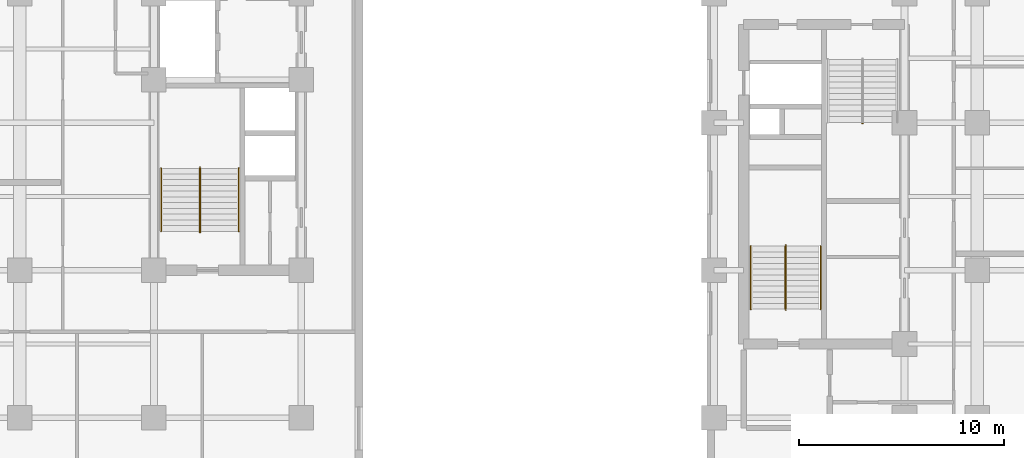
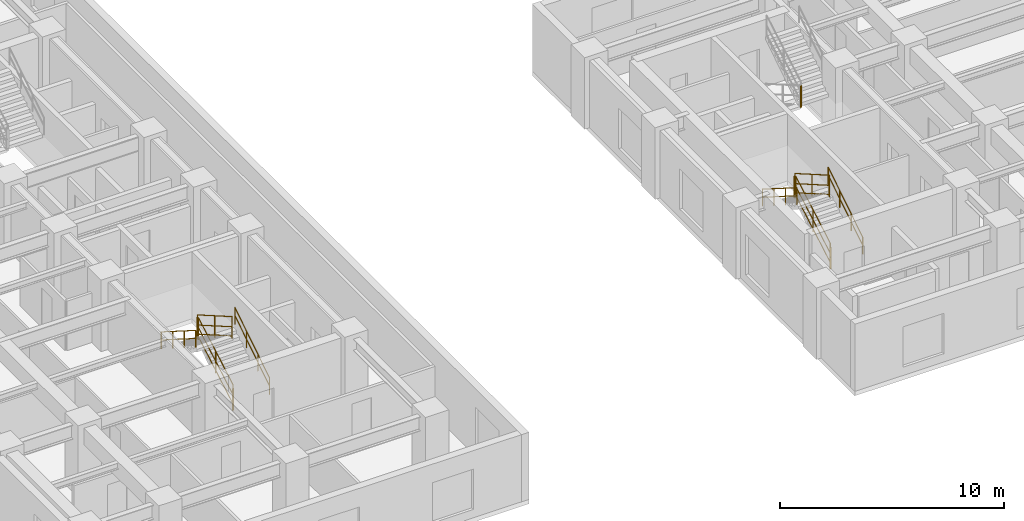
# One storey, part 7 of 9: 13 railings.
"""IFC4 building model written with IfcOpenShell, lengths in metres."""

from ifc_helpers import new_model, entity, si_unit, converted_unit, direction, frame, origin_with_axes, origin_2d_with_axis, place, context, subcontext, project, spatial, rectangle, circle, extrude, material, type_object, element, save


model = new_model("IFC4")

# Units and contexts
model_context = context("Model", 3, precision=1e-05, world=origin_with_axes(), true_north=direction((0.0, 1.0)))
body_context = subcontext(model_context, "Body", "Model", "MODEL_VIEW")
ifc_project = project(units=[si_unit("LENGTHUNIT", "METRE"), si_unit("AREAUNIT", "SQUARE_METRE"), si_unit("VOLUMEUNIT", "CUBIC_METRE"), converted_unit("PLANEANGLEUNIT", "DEGREE", entity("IfcPlaneAngleMeasure", 0.017453292519943295), si_unit("PLANEANGLEUNIT", "RADIAN"), dimensions=[0, 0, 0, 0, 0, 0, 0]), si_unit("MASSUNIT", "GRAM", prefix="KILO"), si_unit("THERMODYNAMICTEMPERATUREUNIT", "KELVIN")], contexts=[model_context])

# Site, building, storey
site_placement = place(None, origin_with_axes())
site = spatial("IfcSite", under=ifc_project, at=site_placement, CompositionType="ELEMENT")
building_placement = place(site_placement, origin_with_axes())
building = spatial("IfcBuilding", under=site, at=building_placement, Name="Varnlund Millrace Tower", CompositionType="ELEMENT")
storey_placement = place(building_placement, frame((0.0, 0.0, 96.9), z_axis=(0.0, 0.0, 1.0), x_axis=(1.0, 0.0, 0.0)))
storey = spatial("IfcBuildingStorey", under=building, at=storey_placement, Name="L23", CompositionType="ELEMENT", Elevation=96.9)

# Railings
ifc_material_1 = material(Name="Painted steel stair well balustrade guard", Category="steel")
railing_type_1 = type_object("IfcRailingType", Name="Type-StairGuard-1150", PredefinedType="GUARDRAIL", material=ifc_material_1)
railing_1_placement = place(storey_placement, frame((0.0, 0.0, -96.9), z_axis=(0.0, 0.0, 1.0), x_axis=(1.0, 0.0, 0.0)))
element("IfcRailing", 1, at=railing_1_placement, inside=storey, type_object=railing_type_1, Name="Type-StairGuard-1150", PredefinedType="GUARDRAIL", context=body_context, shape_type="SweptSolid", body=[
    extrude(circle(Radius=0.024, at=origin_2d_with_axis()), frame((13.675, 12.7, 98.227273), z_axis=(0.0, 0.866696, 0.498836), x_axis=(-1.0, 0.0, 0.0)), (0.0, 0.0, 1.0), 3.553725),
    extrude(circle(Radius=0.024, at=origin_2d_with_axis()), frame((13.675, 12.7, 97.177273), z_axis=(0.0, 0.866696, 0.498836), x_axis=(-1.0, 0.0, 0.0)), (0.0, 0.0, 1.0), 3.553725),
    extrude(circle(Radius=0.024, at=origin_2d_with_axis()), frame((13.675, 12.7, 97.675273), z_axis=(0.0, 0.866696, 0.498836), x_axis=(-1.0, 0.0, 0.0)), (0.0, 0.0, 1.0), 3.553725),
    extrude(rectangle(XDim=0.04, YDim=0.04, at=origin_2d_with_axis()), frame((13.675, 12.7, 97.037273), z_axis=(0.0, 0.0, 1.0), x_axis=(1.0, 0.0, 0.0)), (0.0, 0.0, 1.0), 1.19),
    extrude(rectangle(XDim=0.04, YDim=0.04, at=origin_2d_with_axis()), frame((13.675, 14.24, 97.923636), z_axis=(0.0, 0.0, 1.0), x_axis=(1.0, 0.0, 0.0)), (0.0, 0.0, 1.0), 1.19),
    extrude(rectangle(XDim=0.04, YDim=0.04, at=origin_2d_with_axis()), frame((13.675, 15.78, 98.81), z_axis=(0.0, 0.0, 1.0), x_axis=(1.0, 0.0, 0.0)), (0.0, 0.0, 1.0), 1.19),
])
railing_2_placement = place(storey_placement, frame((0.0, 0.0, -96.9), z_axis=(0.0, 0.0, 1.0), x_axis=(1.0, 0.0, 0.0)))
element("IfcRailing", 2, at=railing_2_placement, inside=storey, type_object=railing_type_1, Name="Type-StairGuard-1150", PredefinedType="GUARDRAIL", context=body_context, shape_type="SweptSolid", body=[
    extrude(circle(Radius=0.024, at=origin_2d_with_axis()), frame((13.625, 15.83, 100.0), z_axis=(1.0, 0.0, 0.0), x_axis=(0.0, 1.0, 0.0)), (0.0, 0.0, 1.0), 0.05),
    extrude(circle(Radius=0.024, at=origin_2d_with_axis()), frame((13.625, 15.83, 98.95), z_axis=(1.0, 0.0, 0.0), x_axis=(0.0, 1.0, 0.0)), (0.0, 0.0, 1.0), 0.05),
    extrude(circle(Radius=0.024, at=origin_2d_with_axis()), frame((13.625, 15.83, 99.448), z_axis=(1.0, 0.0, 0.0), x_axis=(0.0, 1.0, 0.0)), (0.0, 0.0, 1.0), 0.05),
    extrude(rectangle(XDim=0.04, YDim=0.04, at=origin_2d_with_axis()), frame((13.625, 15.83, 98.81), z_axis=(0.0, 0.0, 1.0), x_axis=(1.0, 0.0, 0.0)), (0.0, 0.0, 1.0), 1.19),
    extrude(rectangle(XDim=0.04, YDim=0.04, at=origin_2d_with_axis()), frame((13.675, 15.83, 98.81), z_axis=(0.0, 0.0, 1.0), x_axis=(1.0, 0.0, 0.0)), (0.0, 0.0, 1.0), 1.19),
])
railing_3_placement = place(storey_placement, frame((0.0, 0.0, -96.9), z_axis=(0.0, 0.0, 1.0), x_axis=(1.0, 0.0, 0.0)))
element("IfcRailing", 3, at=railing_3_placement, inside=storey, type_object=railing_type_1, Name="Type-StairGuard-1150", PredefinedType="GUARDRAIL", context=body_context, shape_type="SweptSolid", body=[
    extrude(circle(Radius=0.024, at=origin_2d_with_axis()), frame((13.625, 15.78, 100.177273), z_axis=(0.0, -0.866696, 0.498836), x_axis=(1.0, 0.0, 0.0)), (0.0, 0.0, 1.0), 3.553725),
    extrude(circle(Radius=0.024, at=origin_2d_with_axis()), frame((13.625, 15.78, 99.127273), z_axis=(0.0, -0.866696, 0.498836), x_axis=(1.0, 0.0, 0.0)), (0.0, 0.0, 1.0), 3.553725),
    extrude(circle(Radius=0.024, at=origin_2d_with_axis()), frame((13.625, 15.78, 99.625273), z_axis=(0.0, -0.866696, 0.498836), x_axis=(1.0, 0.0, 0.0)), (0.0, 0.0, 1.0), 3.553725),
    extrude(rectangle(XDim=0.04, YDim=0.04, at=origin_2d_with_axis()), frame((13.625, 15.78, 98.987273), z_axis=(0.0, 0.0, 1.0), x_axis=(1.0, 0.0, 0.0)), (0.0, 0.0, 1.0), 1.19),
    extrude(rectangle(XDim=0.04, YDim=0.04, at=origin_2d_with_axis()), frame((13.625, 14.24, 99.873636), z_axis=(0.0, 0.0, 1.0), x_axis=(1.0, 0.0, 0.0)), (0.0, 0.0, 1.0), 1.19),
    extrude(rectangle(XDim=0.04, YDim=0.04, at=origin_2d_with_axis()), frame((13.625, 12.7, 100.76), z_axis=(0.0, 0.0, 1.0), x_axis=(1.0, 0.0, 0.0)), (0.0, 0.0, 1.0), 1.19),
])
railing_4_placement = place(storey_placement, frame((0.0, 0.0, -96.9), z_axis=(0.0, 0.0, 1.0), x_axis=(1.0, 0.0, 0.0)))
element("IfcRailing", 4, at=railing_4_placement, inside=storey, type_object=railing_type_1, Name="Type-StairGuard-1150", PredefinedType="GUARDRAIL", context=body_context, shape_type="SweptSolid", body=[
    extrude(circle(Radius=0.024, at=origin_2d_with_axis()), frame((13.625, 12.65, 98.05), z_axis=(1.0, 0.0, 0.0), x_axis=(0.0, 1.0, 0.0)), (0.0, 0.0, 1.0), 0.05),
    extrude(circle(Radius=0.024, at=origin_2d_with_axis()), frame((13.625, 12.65, 97.0), z_axis=(1.0, 0.0, 0.0), x_axis=(0.0, 1.0, 0.0)), (0.0, 0.0, 1.0), 0.05),
    extrude(circle(Radius=0.024, at=origin_2d_with_axis()), frame((13.625, 12.65, 97.498), z_axis=(1.0, 0.0, 0.0), x_axis=(0.0, 1.0, 0.0)), (0.0, 0.0, 1.0), 0.05),
    extrude(rectangle(XDim=0.04, YDim=0.04, at=origin_2d_with_axis()), frame((13.625, 12.65, 96.86), z_axis=(0.0, 0.0, 1.0), x_axis=(1.0, 0.0, 0.0)), (0.0, 0.0, 1.0), 1.19),
    extrude(rectangle(XDim=0.04, YDim=0.04, at=origin_2d_with_axis()), frame((13.675, 12.65, 96.86), z_axis=(0.0, 0.0, 1.0), x_axis=(1.0, 0.0, 0.0)), (0.0, 0.0, 1.0), 1.19),
])
railing_5_placement = place(storey_placement, frame((0.0, 0.0, -96.9), z_axis=(0.0, 0.0, 1.0), x_axis=(1.0, 0.0, 0.0)))
element("IfcRailing", 5, at=railing_5_placement, inside=storey, type_object=railing_type_1, Name="Type-StairGuard-1150", PredefinedType="GUARDRAIL", context=body_context, shape_type="SweptSolid", body=[
    extrude(circle(Radius=0.024, at=origin_2d_with_axis()), frame((42.275, 8.9, 98.227273), z_axis=(0.0, 0.866696, 0.498836), x_axis=(-1.0, 0.0, 0.0)), (0.0, 0.0, 1.0), 3.553725),
    extrude(circle(Radius=0.024, at=origin_2d_with_axis()), frame((42.275, 8.9, 97.177273), z_axis=(0.0, 0.866696, 0.498836), x_axis=(-1.0, 0.0, 0.0)), (0.0, 0.0, 1.0), 3.553725),
    extrude(circle(Radius=0.024, at=origin_2d_with_axis()), frame((42.275, 8.9, 97.675273), z_axis=(0.0, 0.866696, 0.498836), x_axis=(-1.0, 0.0, 0.0)), (0.0, 0.0, 1.0), 3.553725),
    extrude(rectangle(XDim=0.04, YDim=0.04, at=origin_2d_with_axis()), frame((42.275, 8.9, 97.037273), z_axis=(0.0, 0.0, 1.0), x_axis=(1.0, 0.0, 0.0)), (0.0, 0.0, 1.0), 1.19),
    extrude(rectangle(XDim=0.04, YDim=0.04, at=origin_2d_with_axis()), frame((42.275, 10.44, 97.923636), z_axis=(0.0, 0.0, 1.0), x_axis=(1.0, 0.0, 0.0)), (0.0, 0.0, 1.0), 1.19),
    extrude(rectangle(XDim=0.04, YDim=0.04, at=origin_2d_with_axis()), frame((42.275, 11.98, 98.81), z_axis=(0.0, 0.0, 1.0), x_axis=(1.0, 0.0, 0.0)), (0.0, 0.0, 1.0), 1.19),
])
railing_6_placement = place(storey_placement, frame((0.0, 0.0, -96.9), z_axis=(0.0, 0.0, 1.0), x_axis=(1.0, 0.0, 0.0)))
element("IfcRailing", 6, at=railing_6_placement, inside=storey, type_object=railing_type_1, Name="Type-StairGuard-1150", PredefinedType="GUARDRAIL", context=body_context, shape_type="SweptSolid", body=[
    extrude(circle(Radius=0.024, at=origin_2d_with_axis()), frame((42.225, 12.03, 100.0), z_axis=(1.0, 0.0, 0.0), x_axis=(0.0, 1.0, 0.0)), (0.0, 0.0, 1.0), 0.05),
    extrude(circle(Radius=0.024, at=origin_2d_with_axis()), frame((42.225, 12.03, 98.95), z_axis=(1.0, 0.0, 0.0), x_axis=(0.0, 1.0, 0.0)), (0.0, 0.0, 1.0), 0.05),
    extrude(circle(Radius=0.024, at=origin_2d_with_axis()), frame((42.225, 12.03, 99.448), z_axis=(1.0, 0.0, 0.0), x_axis=(0.0, 1.0, 0.0)), (0.0, 0.0, 1.0), 0.05),
    extrude(rectangle(XDim=0.04, YDim=0.04, at=origin_2d_with_axis()), frame((42.225, 12.03, 98.81), z_axis=(0.0, 0.0, 1.0), x_axis=(1.0, 0.0, 0.0)), (0.0, 0.0, 1.0), 1.19),
    extrude(rectangle(XDim=0.04, YDim=0.04, at=origin_2d_with_axis()), frame((42.275, 12.03, 98.81), z_axis=(0.0, 0.0, 1.0), x_axis=(1.0, 0.0, 0.0)), (0.0, 0.0, 1.0), 1.19),
])
railing_7_placement = place(storey_placement, frame((0.0, 0.0, -96.9), z_axis=(0.0, 0.0, 1.0), x_axis=(1.0, 0.0, 0.0)))
element("IfcRailing", 7, at=railing_7_placement, inside=storey, type_object=railing_type_1, Name="Type-StairGuard-1150", PredefinedType="GUARDRAIL", context=body_context, shape_type="SweptSolid", body=[
    extrude(circle(Radius=0.024, at=origin_2d_with_axis()), frame((42.225, 11.98, 100.177273), z_axis=(0.0, -0.866696, 0.498836), x_axis=(1.0, 0.0, 0.0)), (0.0, 0.0, 1.0), 3.553725),
    extrude(circle(Radius=0.024, at=origin_2d_with_axis()), frame((42.225, 11.98, 99.127273), z_axis=(0.0, -0.866696, 0.498836), x_axis=(1.0, 0.0, 0.0)), (0.0, 0.0, 1.0), 3.553725),
    extrude(circle(Radius=0.024, at=origin_2d_with_axis()), frame((42.225, 11.98, 99.625273), z_axis=(0.0, -0.866696, 0.498836), x_axis=(1.0, 0.0, 0.0)), (0.0, 0.0, 1.0), 3.553725),
    extrude(rectangle(XDim=0.04, YDim=0.04, at=origin_2d_with_axis()), frame((42.225, 11.98, 98.987273), z_axis=(0.0, 0.0, 1.0), x_axis=(1.0, 0.0, 0.0)), (0.0, 0.0, 1.0), 1.19),
    extrude(rectangle(XDim=0.04, YDim=0.04, at=origin_2d_with_axis()), frame((42.225, 10.44, 99.873636), z_axis=(0.0, 0.0, 1.0), x_axis=(1.0, 0.0, 0.0)), (0.0, 0.0, 1.0), 1.19),
    extrude(rectangle(XDim=0.04, YDim=0.04, at=origin_2d_with_axis()), frame((42.225, 8.9, 100.76), z_axis=(0.0, 0.0, 1.0), x_axis=(1.0, 0.0, 0.0)), (0.0, 0.0, 1.0), 1.19),
])
railing_8_placement = place(storey_placement, frame((0.0, 0.0, -96.9), z_axis=(0.0, 0.0, 1.0), x_axis=(1.0, 0.0, 0.0)))
element("IfcRailing", 8, at=railing_8_placement, inside=storey, type_object=railing_type_1, Name="Type-StairGuard-1150", PredefinedType="GUARDRAIL", context=body_context, shape_type="SweptSolid", body=[
    extrude(circle(Radius=0.024, at=origin_2d_with_axis()), frame((42.225, 8.85, 98.05), z_axis=(1.0, 0.0, 0.0), x_axis=(0.0, 1.0, 0.0)), (0.0, 0.0, 1.0), 0.05),
    extrude(circle(Radius=0.024, at=origin_2d_with_axis()), frame((42.225, 8.85, 97.0), z_axis=(1.0, 0.0, 0.0), x_axis=(0.0, 1.0, 0.0)), (0.0, 0.0, 1.0), 0.05),
    extrude(circle(Radius=0.024, at=origin_2d_with_axis()), frame((42.225, 8.85, 97.498), z_axis=(1.0, 0.0, 0.0), x_axis=(0.0, 1.0, 0.0)), (0.0, 0.0, 1.0), 0.05),
    extrude(rectangle(XDim=0.04, YDim=0.04, at=origin_2d_with_axis()), frame((42.225, 8.85, 96.86), z_axis=(0.0, 0.0, 1.0), x_axis=(1.0, 0.0, 0.0)), (0.0, 0.0, 1.0), 1.19),
    extrude(rectangle(XDim=0.04, YDim=0.04, at=origin_2d_with_axis()), frame((42.275, 8.85, 96.86), z_axis=(0.0, 0.0, 1.0), x_axis=(1.0, 0.0, 0.0)), (0.0, 0.0, 1.0), 1.19),
])
railing_9_placement = place(storey_placement, frame((0.0, 0.0, -96.9), z_axis=(0.0, 0.0, 1.0), x_axis=(1.0, 0.0, 0.0)))
element("IfcRailing", 9, at=railing_9_placement, inside=storey, type_object=railing_type_1, Name="Type-StairGuard-1150", PredefinedType="GUARDRAIL", context=body_context, shape_type="SweptSolid", body=[
    extrude(circle(Radius=0.024, at=origin_2d_with_axis()), frame((46.025, 17.97, 100.0), z_axis=(-1.0, 0.0, 0.0), x_axis=(0.0, -1.0, 0.0)), (0.0, 0.0, 1.0), 0.05),
    extrude(circle(Radius=0.024, at=origin_2d_with_axis()), frame((46.025, 17.97, 98.95), z_axis=(-1.0, 0.0, 0.0), x_axis=(0.0, -1.0, 0.0)), (0.0, 0.0, 1.0), 0.05),
    extrude(circle(Radius=0.024, at=origin_2d_with_axis()), frame((46.025, 17.97, 99.448), z_axis=(-1.0, 0.0, 0.0), x_axis=(0.0, -1.0, 0.0)), (0.0, 0.0, 1.0), 0.05),
    extrude(rectangle(XDim=0.04, YDim=0.04, at=origin_2d_with_axis()), frame((46.025, 17.97, 98.81), z_axis=(0.0, 0.0, 1.0), x_axis=(1.0, 0.0, 0.0)), (0.0, 0.0, 1.0), 1.19),
    extrude(rectangle(XDim=0.04, YDim=0.04, at=origin_2d_with_axis()), frame((45.975, 17.97, 98.81), z_axis=(0.0, 0.0, 1.0), x_axis=(1.0, 0.0, 0.0)), (0.0, 0.0, 1.0), 1.19),
])
ifc_material_2 = material(Name="Brushed architectural bronze stair handrail", Category="aluminium")
railing_type_2 = type_object("IfcRailingType", Name="Type-StairHandrail-900", PredefinedType="HANDRAIL", material=ifc_material_2)
railing_10_placement = place(storey_placement, frame((0.0, 0.0, -96.9), z_axis=(0.0, 0.0, 1.0), x_axis=(1.0, 0.0, 0.0)))
element("IfcRailing", 10, at=railing_10_placement, inside=storey, type_object=railing_type_2, Name="Type-StairHandrail-900", PredefinedType="HANDRAIL", context=body_context, shape_type="SweptSolid", body=[
    extrude(circle(Radius=0.024, at=origin_2d_with_axis()), frame((15.55, 12.7, 97.956995), z_axis=(0.0, 0.844902, 0.534922), x_axis=(-1.0, 0.0, 0.0)), (0.0, 0.0, 1.0), 3.645394),
    extrude(circle(Radius=0.024, at=origin_2d_with_axis()), frame((15.55, 12.7, 97.517134), z_axis=(0.0, 0.844902, 0.534922), x_axis=(-1.0, 0.0, 0.0)), (0.0, 0.0, 1.0), 3.645394),
    extrude(rectangle(XDim=0.04, YDim=0.04, at=origin_2d_with_axis()), frame((15.55, 12.7, 97.037273), z_axis=(0.0, 0.0, 1.0), x_axis=(1.0, 0.0, 0.0)), (0.0, 0.0, 1.0), 0.919722),
    extrude(rectangle(XDim=0.04, YDim=0.04, at=origin_2d_with_axis()), frame((15.55, 13.726667, 97.687273), z_axis=(0.0, 0.0, 1.0), x_axis=(1.0, 0.0, 0.0)), (0.0, 0.0, 1.0), 0.919722),
    extrude(rectangle(XDim=0.04, YDim=0.04, at=origin_2d_with_axis()), frame((15.55, 14.753333, 98.337273), z_axis=(0.0, 0.0, 1.0), x_axis=(1.0, 0.0, 0.0)), (0.0, 0.0, 1.0), 0.919722),
    extrude(rectangle(XDim=0.04, YDim=0.04, at=origin_2d_with_axis()), frame((15.55, 15.78, 98.987273), z_axis=(0.0, 0.0, 1.0), x_axis=(1.0, 0.0, 0.0)), (0.0, 0.0, 1.0), 0.919722),
])
railing_11_placement = place(storey_placement, frame((0.0, 0.0, -96.9), z_axis=(0.0, 0.0, 1.0), x_axis=(1.0, 0.0, 0.0)))
element("IfcRailing", 11, at=railing_11_placement, inside=storey, type_object=railing_type_2, Name="Type-StairHandrail-900", PredefinedType="HANDRAIL", context=body_context, shape_type="SweptSolid", body=[
    extrude(circle(Radius=0.024, at=origin_2d_with_axis()), frame((11.75, 15.78, 99.906995), z_axis=(0.0, -0.844902, 0.534922), x_axis=(1.0, 0.0, 0.0)), (0.0, 0.0, 1.0), 3.645394),
    extrude(circle(Radius=0.024, at=origin_2d_with_axis()), frame((11.75, 15.78, 99.467134), z_axis=(0.0, -0.844902, 0.534922), x_axis=(1.0, 0.0, 0.0)), (0.0, 0.0, 1.0), 3.645394),
    extrude(rectangle(XDim=0.04, YDim=0.04, at=origin_2d_with_axis()), frame((11.75, 15.78, 98.987273), z_axis=(0.0, 0.0, 1.0), x_axis=(1.0, 0.0, 0.0)), (0.0, 0.0, 1.0), 0.919722),
    extrude(rectangle(XDim=0.04, YDim=0.04, at=origin_2d_with_axis()), frame((11.75, 14.753333, 99.637273), z_axis=(0.0, 0.0, 1.0), x_axis=(1.0, 0.0, 0.0)), (0.0, 0.0, 1.0), 0.919722),
    extrude(rectangle(XDim=0.04, YDim=0.04, at=origin_2d_with_axis()), frame((11.75, 13.726667, 100.287273), z_axis=(0.0, 0.0, 1.0), x_axis=(1.0, 0.0, 0.0)), (0.0, 0.0, 1.0), 0.919722),
    extrude(rectangle(XDim=0.04, YDim=0.04, at=origin_2d_with_axis()), frame((11.75, 12.7, 100.937273), z_axis=(0.0, 0.0, 1.0), x_axis=(1.0, 0.0, 0.0)), (0.0, 0.0, 1.0), 0.919722),
])
railing_12_placement = place(storey_placement, frame((0.0, 0.0, -96.9), z_axis=(0.0, 0.0, 1.0), x_axis=(1.0, 0.0, 0.0)))
element("IfcRailing", 12, at=railing_12_placement, inside=storey, type_object=railing_type_2, Name="Type-StairHandrail-900", PredefinedType="HANDRAIL", context=body_context, shape_type="SweptSolid", body=[
    extrude(circle(Radius=0.024, at=origin_2d_with_axis()), frame((43.95, 8.9, 97.956995), z_axis=(0.0, 0.844902, 0.534922), x_axis=(-1.0, 0.0, 0.0)), (0.0, 0.0, 1.0), 3.645394),
    extrude(circle(Radius=0.024, at=origin_2d_with_axis()), frame((43.95, 8.9, 97.517134), z_axis=(0.0, 0.844902, 0.534922), x_axis=(-1.0, 0.0, 0.0)), (0.0, 0.0, 1.0), 3.645394),
    extrude(rectangle(XDim=0.04, YDim=0.04, at=origin_2d_with_axis()), frame((43.95, 8.9, 97.037273), z_axis=(0.0, 0.0, 1.0), x_axis=(1.0, 0.0, 0.0)), (0.0, 0.0, 1.0), 0.919722),
    extrude(rectangle(XDim=0.04, YDim=0.04, at=origin_2d_with_axis()), frame((43.95, 9.926667, 97.687273), z_axis=(0.0, 0.0, 1.0), x_axis=(1.0, 0.0, 0.0)), (0.0, 0.0, 1.0), 0.919722),
    extrude(rectangle(XDim=0.04, YDim=0.04, at=origin_2d_with_axis()), frame((43.95, 10.953333, 98.337273), z_axis=(0.0, 0.0, 1.0), x_axis=(1.0, 0.0, 0.0)), (0.0, 0.0, 1.0), 0.919722),
    extrude(rectangle(XDim=0.04, YDim=0.04, at=origin_2d_with_axis()), frame((43.95, 11.98, 98.987273), z_axis=(0.0, 0.0, 1.0), x_axis=(1.0, 0.0, 0.0)), (0.0, 0.0, 1.0), 0.919722),
])
railing_13_placement = place(storey_placement, frame((0.0, 0.0, -96.9), z_axis=(0.0, 0.0, 1.0), x_axis=(1.0, 0.0, 0.0)))
element("IfcRailing", 13, at=railing_13_placement, inside=storey, type_object=railing_type_2, Name="Type-StairHandrail-900", PredefinedType="HANDRAIL", context=body_context, shape_type="SweptSolid", body=[
    extrude(circle(Radius=0.024, at=origin_2d_with_axis()), frame((40.55, 11.98, 99.906995), z_axis=(0.0, -0.844902, 0.534922), x_axis=(1.0, 0.0, 0.0)), (0.0, 0.0, 1.0), 3.645394),
    extrude(circle(Radius=0.024, at=origin_2d_with_axis()), frame((40.55, 11.98, 99.467134), z_axis=(0.0, -0.844902, 0.534922), x_axis=(1.0, 0.0, 0.0)), (0.0, 0.0, 1.0), 3.645394),
    extrude(rectangle(XDim=0.04, YDim=0.04, at=origin_2d_with_axis()), frame((40.55, 11.98, 98.987273), z_axis=(0.0, 0.0, 1.0), x_axis=(1.0, 0.0, 0.0)), (0.0, 0.0, 1.0), 0.919722),
    extrude(rectangle(XDim=0.04, YDim=0.04, at=origin_2d_with_axis()), frame((40.55, 10.953333, 99.637273), z_axis=(0.0, 0.0, 1.0), x_axis=(1.0, 0.0, 0.0)), (0.0, 0.0, 1.0), 0.919722),
    extrude(rectangle(XDim=0.04, YDim=0.04, at=origin_2d_with_axis()), frame((40.55, 9.926667, 100.287273), z_axis=(0.0, 0.0, 1.0), x_axis=(1.0, 0.0, 0.0)), (0.0, 0.0, 1.0), 0.919722),
    extrude(rectangle(XDim=0.04, YDim=0.04, at=origin_2d_with_axis()), frame((40.55, 8.9, 100.937273), z_axis=(0.0, 0.0, 1.0), x_axis=(1.0, 0.0, 0.0)), (0.0, 0.0, 1.0), 0.919722),
])

save(model, "model.ifc")
